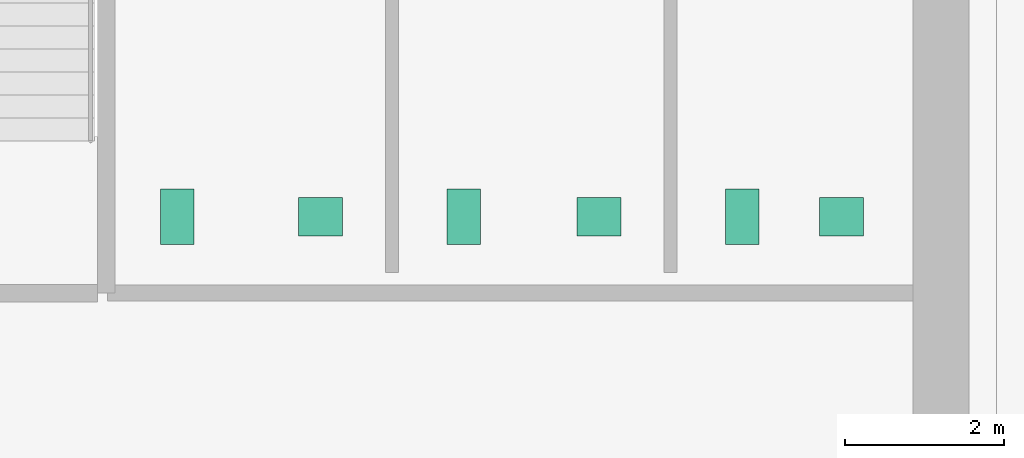
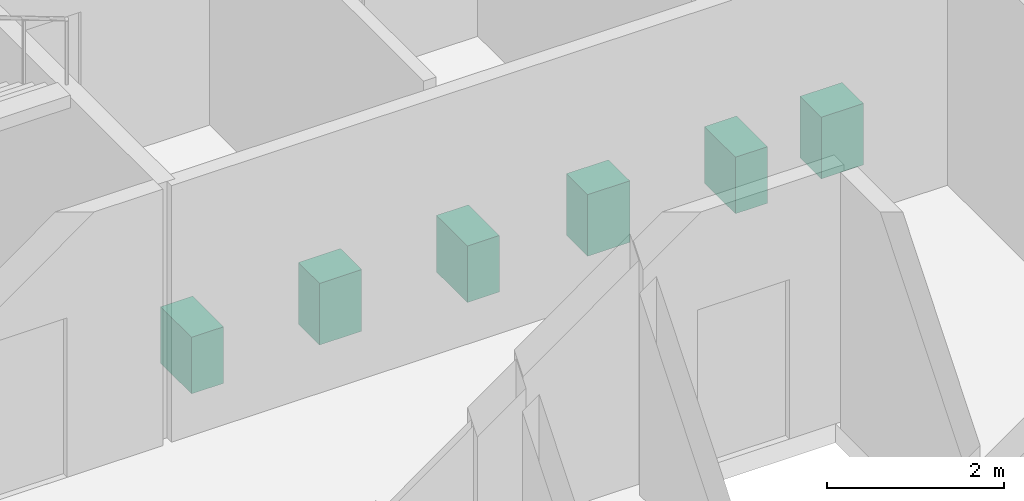
# One storey, part 11 of 11: 6 sanitary terminals.
"""IFC4 building model written with IfcOpenShell, lengths in metres."""

from ifc_helpers import new_model, si_unit, direction, frame, origin, origin_2d, place, context, subcontext, project, spatial, rectangle, extrude, material, type_object, element, save


model = new_model("IFC4")

# Units and contexts
model_context = context("Model", 3, precision=1e-05, world=origin(), true_north=direction((0.0, 1.0)))
body_context = subcontext(model_context, "Body", "Model", "MODEL_VIEW")
ifc_project = project(units=[si_unit("LENGTHUNIT", "METRE"), si_unit("AREAUNIT", "SQUARE_METRE"), si_unit("VOLUMEUNIT", "CUBIC_METRE"), si_unit("PLANEANGLEUNIT", "RADIAN"), si_unit("MASSUNIT", "GRAM", prefix="KILO")], contexts=[model_context])

# Site, building, storey
site_placement = place(None, origin())
site = spatial("IfcSite", under=ifc_project, at=site_placement, CompositionType="ELEMENT")
building_placement = place(site_placement, origin())
building = spatial("IfcBuilding", under=site, at=building_placement, Name="Norrvale University Quadrangle", CompositionType="ELEMENT")
storey_placement = place(building_placement, frame((0.0, 0.0, 124.199951171875)))
storey = spatial("IfcBuildingStorey", under=building, at=storey_placement, Name="L31", CompositionType="ELEMENT", Elevation=124.199951171875)

# Sanitary terminals
ifc_material = material(Name="Vitreous China Sanitaryware")
sanitary_terminal_type_1 = type_object("IfcSanitaryTerminalType", Name="Sanitary Wash Basin", PredefinedType="WASHHANDBASIN", material=ifc_material)
for number, where, z_axis, x_axis, name in (
    (1, (9.0, 41.10009765625, 0.0), (0.0, 0.0, 1.0), (1.0, 0.0, 0.0), "Accessible Countertop Washbasin L31-1"),
    (2, (12.5, 41.10009765625, 0.0), (0.0, 0.0, 1.0), (1.0, 0.0, 0.0), "Accessible Countertop Washbasin L31-2"),
    (3, (15.550048828125, 41.10009765625, 0.0), (0.0, 0.0, 1.0), (1.0, 0.0, 0.0), "Accessible Countertop Washbasin L31-3"),
):
    element("IfcSanitaryTerminal", number, at=place(storey_placement, frame(where, z_axis=z_axis, x_axis=x_axis)), inside=storey, type_object=sanitary_terminal_type_1, Name=name, PredefinedType="WASHHANDBASIN", context=body_context, shape_type="SweptSolid", body=[
        extrude(rectangle(XDim=0.550048828125, YDim=0.47998046875, at=origin_2d()), origin(), (0.0, 0.0, 1.0), 0.85009765625),
    ])
sanitary_terminal_type_2 = type_object("IfcSanitaryTerminalType", Name="Sanitary Water Closet", PredefinedType="TOILETPAN", material=ifc_material)
for number, where, z_axis, x_axis, name in (
    (4, (7.199951171875, 41.10009765625, 0.0), (0.0, 0.0, 1.0), (1.0, 0.0, 0.0), "Wall-Hung Water Closet L31-1"),
    (5, (10.800048828125, 41.10009765625, 0.0), (0.0, 0.0, 1.0), (1.0, 0.0, 0.0), "Wall-Hung Water Closet L31-2"),
    (6, (14.300048828125, 41.10009765625, 0.0), (0.0, 0.0, 1.0), (1.0, 0.0, 0.0), "Wall-Hung Water Closet L31-3"),
):
    element("IfcSanitaryTerminal", number, at=place(storey_placement, frame(where, z_axis=z_axis, x_axis=x_axis)), inside=storey, type_object=sanitary_terminal_type_2, Name=name, PredefinedType="TOILETPAN", context=body_context, shape_type="SweptSolid", body=[
        extrude(rectangle(XDim=0.419921875, YDim=0.699951171875, at=origin_2d()), origin(), (0.0, 0.0, 1.0), 0.780029296875),
    ])

save(model, "model.ifc")
